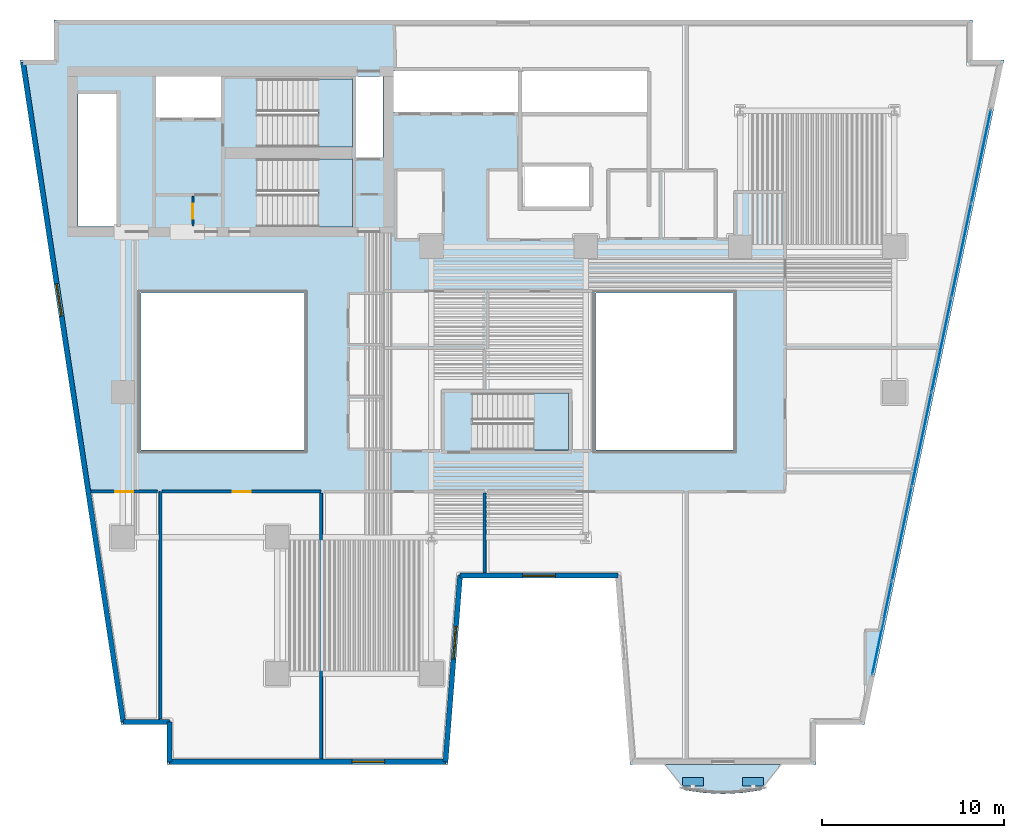
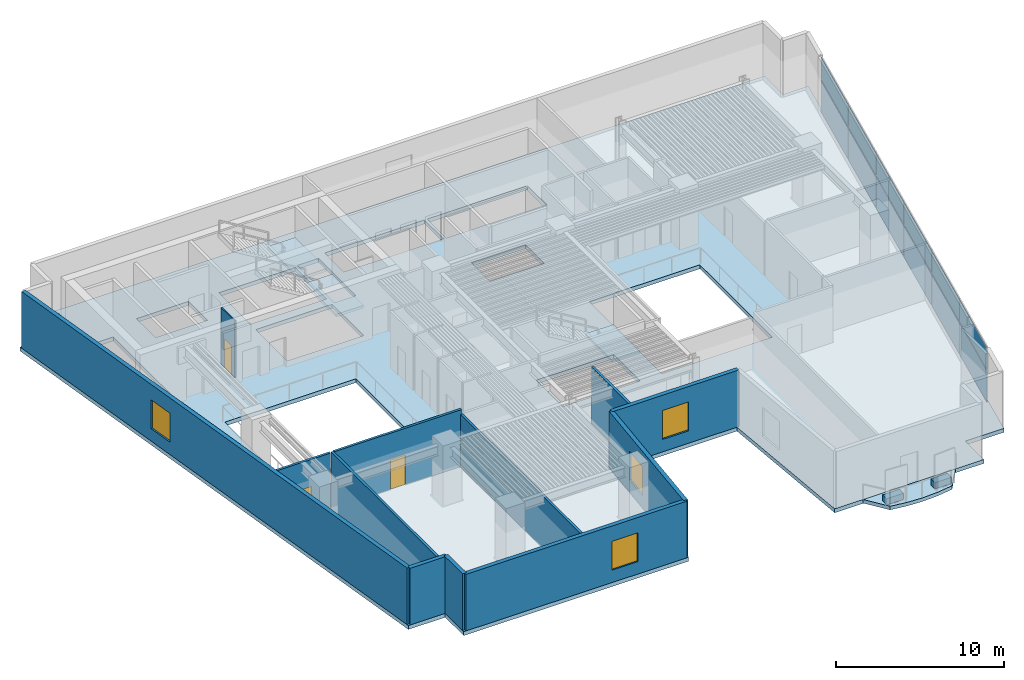
# One storey, part 3 of 12: 14 plates, 12 walls, 5 slabs, 4 windows, 3 doors, 7 openings, 4 elements without a shape of their own.
"""IFC4 building model written with IfcOpenShell, lengths in metres."""

from ifc_helpers import new_model, si_unit, direction, frame, frame_2d, origin, origin_2d, place, context, subcontext, project, spatial, polyline, rectangle, outline, extrude, material, layer, layer_set, type_object, element, fill, aggregate, save


model = new_model("IFC4")

# Units and contexts
model_context = context("Model", 3, precision=1e-05, world=origin(), true_north=direction((0.0, 1.0)))
body_context = subcontext(model_context, "Body", "Model", "MODEL_VIEW")
ifc_project = project(units=[si_unit("LENGTHUNIT", "METRE"), si_unit("AREAUNIT", "SQUARE_METRE"), si_unit("VOLUMEUNIT", "CUBIC_METRE"), si_unit("PLANEANGLEUNIT", "RADIAN"), si_unit("MASSUNIT", "GRAM", prefix="KILO")], contexts=[model_context])

# Site, building, storey
site_placement = place(None, origin())
site = spatial("IfcSite", under=ifc_project, at=site_placement, CompositionType="ELEMENT")
building_placement = place(site_placement, origin())
building = spatial("IfcBuilding", under=site, at=building_placement, Name="Caeloran Harvest Quay", CompositionType="ELEMENT")
storey_placement = place(building_placement, frame((0.0, 0.0, 84.199951171875)))
storey = spatial("IfcBuildingStorey", under=building, at=storey_placement, Name="L19", CompositionType="ELEMENT", Elevation=84.199951171875)

# Slab
ifc_material_1 = material(Name="Concrete C50/60", Category="concrete")
ifc_layer_1 = layer(ifc_material_1, 0.260009765625, Name="Concrete C50/60")
ifc_layer_set_1 = layer_set([ifc_layer_1], Name="Concrete C50/60")
slab_type_1 = type_object("IfcSlabType", Name="BALCONY-BL-260", PredefinedType="FLOOR", material=ifc_layer_set_1)
slab_1_placement = place(storey_placement, frame((0.0, 0.0, -0.260009765625)))
element("IfcSlab", 1, at=slab_1_placement, inside=storey, type_object=slab_type_1, Name="L19 Scalloped Cantilevered Planted Balcony Slab", PredefinedType="FLOOR", context=body_context, shape_type="SweptSolid", body=[
    extrude(outline(polyline([(43.686767578125, 1.08056640625), (42.622802734375, 0.927001953125), (41.55859375, 0.87109375), (40.494384765625, 0.927001953125), (39.43017578125, 1.08056640625), (38.380859375, 2.5), (44.736083984375, 2.5), (43.686767578125, 1.08056640625)])), origin(), (0.0, 0.0, 1.0), 0.260009765625),
])

# Curtain wall, plates
ifc_material_2 = material(Name="Aluminium 6063-T6 and Low-E Glazing", Category="aluminium")
ifc_layer_2 = layer(ifc_material_2, 0.199951171875, Name="Aluminium 6063-T6 and Low-E Glazing")
ifc_layer_set_2 = layer_set([ifc_layer_2], Name="Aluminium 6063-T6 and Low-E Glazing")
curtain_wall_type = type_object("IfcCurtainWallType", Name="CW-SYS-CW-2", PredefinedType="USERDEFINED", material=ifc_layer_set_2)
curtain_wall_placement = place(storey_placement, origin())
curtain_wall = element("IfcCurtainWall", 2, at=curtain_wall_placement, inside=storey, type_object=curtain_wall_type, Name="L19 Unitised Curtain Wall CW-2 Run 9", ObjectType="CURTAIN_WALL", PredefinedType="USERDEFINED")
ifc_material_3 = material(Name="Low-E Double Glazed Vision Glass Unit", Category="glass")
ifc_layer_3 = layer(ifc_material_3, 0.035888671875, Name="Low-E Double Glazed Vision Glass Unit")
ifc_layer_set_3 = layer_set([ifc_layer_3], Name="Low-E Double Glazed Vision Glass Unit")
plate_type_1 = type_object("IfcPlateType", Name="CW-VISION-PANEL", PredefinedType="CURTAIN_PANEL", material=ifc_layer_set_3)
plate_1_placement = place(storey_placement, frame((55.780029296875, 35.993408203125, 0.080078125), z_axis=(0.0, 0.0, 1.0), x_axis=(-0.205582960081, -0.978639691881, 0.0)))
plate_1 = element("IfcPlate", 3, at=plate_1_placement, type_object=plate_type_1, Name="CW-2 panel 1.1", PredefinedType="CURTAIN_PANEL", context=body_context, shape_type="SweptSolid", body=[
    extrude(rectangle(XDim=5.19873046875, YDim=0.035888671875, at=origin_2d()), origin(), (0.0, 0.0, 1.0), 2.280029296875),
])
plate_2_placement = place(storey_placement, frame((55.780029296875, 35.993408203125, 2.43994140625), z_axis=(0.0, 0.0, 1.0), x_axis=(-0.205582960081, -0.978639691881, 0.0)))
plate_2 = element("IfcPlate", 4, at=plate_2_placement, type_object=plate_type_1, Name="CW-2 panel 1.2", PredefinedType="CURTAIN_PANEL", context=body_context, shape_type="SweptSolid", body=[
    extrude(rectangle(XDim=5.19873046875, YDim=0.035888671875, at=origin_2d()), origin(), (0.0, 0.0, 1.0), 1.594970703125),
])
plate_3_placement = place(storey_placement, frame((54.690673828125, 30.807861328125, 0.080078125), z_axis=(0.0, 0.0, 1.0), x_axis=(-0.205582960081, -0.978639691881, 0.0)))
plate_3 = element("IfcPlate", 5, at=plate_3_placement, type_object=plate_type_1, Name="CW-2 panel 2.1", PredefinedType="CURTAIN_PANEL", context=body_context, shape_type="SweptSolid", body=[
    extrude(rectangle(XDim=5.23876953125, YDim=0.035888671875, at=origin_2d()), origin(), (0.0, 0.0, 1.0), 2.280029296875),
])
plate_4_placement = place(storey_placement, frame((54.690673828125, 30.807861328125, 2.43994140625), z_axis=(0.0, 0.0, 1.0), x_axis=(-0.205582960081, -0.978639691881, 0.0)))
plate_4 = element("IfcPlate", 6, at=plate_4_placement, type_object=plate_type_1, Name="CW-2 panel 2.2", PredefinedType="CURTAIN_PANEL", context=body_context, shape_type="SweptSolid", body=[
    extrude(rectangle(XDim=5.23876953125, YDim=0.035888671875, at=origin_2d()), origin(), (0.0, 0.0, 1.0), 1.594970703125),
])
plate_5_placement = place(storey_placement, frame((53.59716796875, 25.6025390625, 0.080078125), z_axis=(0.0, 0.0, 1.0), x_axis=(-0.205582960081, -0.978639691881, 0.0)))
plate_5 = element("IfcPlate", 7, at=plate_5_placement, type_object=plate_type_1, Name="CW-2 panel 3.1", PredefinedType="CURTAIN_PANEL", context=body_context, shape_type="SweptSolid", body=[
    extrude(rectangle(XDim=5.23876953125, YDim=0.035888671875, at=origin_2d()), origin(), (0.0, 0.0, 1.0), 2.280029296875),
])
plate_6_placement = place(storey_placement, frame((53.59716796875, 25.6025390625, 2.43994140625), z_axis=(0.0, 0.0, 1.0), x_axis=(-0.205582960081, -0.978639691881, 0.0)))
plate_6 = element("IfcPlate", 8, at=plate_6_placement, type_object=plate_type_1, Name="CW-2 panel 3.2", PredefinedType="CURTAIN_PANEL", context=body_context, shape_type="SweptSolid", body=[
    extrude(rectangle(XDim=5.23876953125, YDim=0.035888671875, at=origin_2d()), origin(), (0.0, 0.0, 1.0), 1.594970703125),
])
plate_7_placement = place(storey_placement, frame((52.503662109375, 20.3974609375, 0.080078125), z_axis=(0.0, 0.0, 1.0), x_axis=(-0.205582960081, -0.978639691881, 0.0)))
plate_7 = element("IfcPlate", 9, at=plate_7_placement, type_object=plate_type_1, Name="CW-2 panel 4.1", PredefinedType="CURTAIN_PANEL", context=body_context, shape_type="SweptSolid", body=[
    extrude(rectangle(XDim=5.23876953125, YDim=0.035888671875, at=origin_2d()), origin(), (0.0, 0.0, 1.0), 2.280029296875),
])
plate_8_placement = place(storey_placement, frame((52.503662109375, 20.3974609375, 2.43994140625), z_axis=(0.0, 0.0, 1.0), x_axis=(-0.205582960081, -0.978639691881, 0.0)))
plate_8 = element("IfcPlate", 10, at=plate_8_placement, type_object=plate_type_1, Name="CW-2 panel 4.2", PredefinedType="CURTAIN_PANEL", context=body_context, shape_type="SweptSolid", body=[
    extrude(rectangle(XDim=5.23876953125, YDim=0.035888671875, at=origin_2d()), origin(), (0.0, 0.0, 1.0), 1.594970703125),
])
plate_9_placement = place(storey_placement, frame((51.41015625, 15.192138671875, 0.080078125), z_axis=(0.0, 0.0, 1.0), x_axis=(-0.205582960081, -0.978639691881, 0.0)))
plate_9 = element("IfcPlate", 11, at=plate_9_placement, type_object=plate_type_1, Name="CW-2 panel 5.1", PredefinedType="CURTAIN_PANEL", context=body_context, shape_type="SweptSolid", body=[
    extrude(rectangle(XDim=5.23876953125, YDim=0.035888671875, at=origin_2d()), origin(), (0.0, 0.0, 1.0), 2.280029296875),
])
plate_10_placement = place(storey_placement, frame((51.41015625, 15.192138671875, 2.43994140625), z_axis=(0.0, 0.0, 1.0), x_axis=(-0.205582960081, -0.978639691881, 0.0)))
plate_10 = element("IfcPlate", 12, at=plate_10_placement, type_object=plate_type_1, Name="CW-2 panel 5.2", PredefinedType="CURTAIN_PANEL", context=body_context, shape_type="SweptSolid", body=[
    extrude(rectangle(XDim=5.23876953125, YDim=0.035888671875, at=origin_2d()), origin(), (0.0, 0.0, 1.0), 1.594970703125),
])
plate_11_placement = place(storey_placement, frame((50.321044921875, 10.006591796875, 0.080078125), z_axis=(0.0, 0.0, 1.0), x_axis=(-0.205582960081, -0.978639691881, 0.0)))
plate_11 = element("IfcPlate", 13, at=plate_11_placement, type_object=plate_type_1, Name="CW-2 panel 6.1", PredefinedType="CURTAIN_PANEL", context=body_context, shape_type="SweptSolid", body=[
    extrude(rectangle(XDim=5.19873046875, YDim=0.035888671875, at=origin_2d()), origin(), (0.0, 0.0, 1.0), 2.280029296875),
])
plate_12_placement = place(storey_placement, frame((50.321044921875, 10.006591796875, 2.43994140625), z_axis=(0.0, 0.0, 1.0), x_axis=(-0.205582960081, -0.978639691881, 0.0)))
plate_12 = element("IfcPlate", 14, at=plate_12_placement, type_object=plate_type_1, Name="CW-2 panel 6.2", PredefinedType="CURTAIN_PANEL", context=body_context, shape_type="SweptSolid", body=[
    extrude(rectangle(XDim=5.19873046875, YDim=0.035888671875, at=origin_2d()), origin(), (0.0, 0.0, 1.0), 1.594970703125),
])
aggregate(curtain_wall, [plate_1, plate_2, plate_3, plate_4, plate_5, plate_6, plate_7, plate_8, plate_9, plate_10, plate_11, plate_12])

# Plates
ifc_material_4 = material(Name="Precast concrete C50/60", Category="concrete")
ifc_layer_4 = layer(ifc_material_4, 0.449951171875, Name="Precast concrete C50/60")
ifc_layer_set_4 = layer_set([ifc_layer_4], Name="Precast concrete C50/60")
plate_type_2 = type_object("IfcPlateType", Name="PLANTER-TROUGH-450", PredefinedType="USERDEFINED", material=ifc_layer_set_4)
for number, where, z_axis, x_axis, name in (
    (15, (43.218505859375, 1.543212890625, 0.0), (0.0, 0.0, 1.0), (1.0, 0.0, 0.0), "L19 Balcony Vertical-Greenery Precast PLANTER Trough 1"),
    (16, (39.8984375, 1.543212890625, 0.0), (0.0, 0.0, 1.0), (1.0, 0.0, 0.0), "L19 Balcony Vertical-Greenery Precast PLANTER Trough 2"),
):
    element("IfcPlate", number, at=place(storey_placement, frame(where, z_axis=z_axis, x_axis=x_axis)), inside=storey, type_object=plate_type_2, Name=name, ObjectType="PLANTER", PredefinedType="USERDEFINED", context=body_context, shape_type="SweptSolid", body=[
        extrude(rectangle(XDim=1.14990234375, YDim=0.47998046875, at=origin_2d()), origin(), (0.0, 0.0, 1.0), 0.449951171875),
    ])

# Slab
ifc_layer_5 = layer(ifc_material_1, 0.284912109375, Name="Concrete C50/60")
ifc_layer_set_5 = layer_set([ifc_layer_5], Name="Concrete C50/60")
slab_type_2 = type_object("IfcSlabType", Name="SLAB-FS-285", PredefinedType="FLOOR", material=ifc_layer_set_5)
slab_2_placement = place(storey_placement, frame((0.0, 0.0, -0.284912109375)))
element("IfcSlab", 17, at=slab_2_placement, inside=storey, type_object=slab_type_2, Name="L19 Structural Floor Slab", PredefinedType="FLOOR", context=body_context, shape_type="SweptSolid", body=[
    extrude(outline(polyline([(10.93701171875, 2.5), (26.403076171875, 2.5), (27.202880859375, 12.75), (35.640380859375, 12.75), (36.4404296875, 2.5), (46.68701171875, 2.5), (46.68701171875, 4.699951171875), (49.34912109375, 4.699951171875), (57.037841796875, 41.300048828125), (55.300048828125, 41.300048828125), (55.300048828125, 43.5), (4.699951171875, 43.5), (4.699951171875, 41.300048828125), (2.834716796875, 41.300048828125), (8.40234375, 4.699951171875), (10.93701171875, 4.699951171875), (10.93701171875, 2.5)]), holes=[polyline([(18.5, 19.800048828125), (9.5, 19.800048828125), (9.5, 28.449951171875), (18.5, 28.449951171875), (18.5, 19.800048828125)]), polyline([(15.89990234375, 32.10009765625), (15.89990234375, 35.85009765625), (21.14990234375, 35.85009765625), (21.14990234375, 32.10009765625), (15.89990234375, 32.10009765625)]), polyline([(8.159912109375, 32.1201171875), (6.02001953125, 32.1201171875), (6.02001953125, 39.419921875), (8.159912109375, 39.419921875), (8.159912109375, 32.1201171875)]), polyline([(21.35009765625, 35.919921875), (21.35009765625, 40.3798828125), (22.830078125, 40.3798828125), (22.830078125, 35.919921875), (21.35009765625, 35.919921875)]), polyline([(15.89990234375, 40.25), (21.14990234375, 40.25), (21.14990234375, 36.5), (15.89990234375, 36.5), (15.89990234375, 40.25)]), polyline([(13.89990234375, 38.1201171875), (10.320068359375, 38.1201171875), (10.320068359375, 40.3798828125), (13.89990234375, 40.3798828125), (13.89990234375, 38.1201171875)]), polyline([(27.75, 22.949951171875), (33.050048828125, 22.949951171875), (33.050048828125, 19.800048828125), (27.75, 19.800048828125), (27.75, 22.949951171875)]), polyline([(34.550048828125, 19.800048828125), (34.550048828125, 28.449951171875), (42.14990234375, 28.449951171875), (42.14990234375, 19.800048828125), (34.550048828125, 19.800048828125)]), polyline([(34.199951171875, 33.219970703125), (30.47998046875, 33.219970703125), (30.47998046875, 35.429931640625), (34.199951171875, 35.429931640625), (34.199951171875, 33.219970703125)]), polyline([(23.419921875, 38.419921875), (23.419921875, 40.679931640625), (30.280029296875, 40.679931640625), (30.280029296875, 38.419921875), (23.419921875, 38.419921875)]), polyline([(30.47998046875, 38.419921875), (30.47998046875, 40.679931640625), (37.3798828125, 40.679931640625), (37.3798828125, 38.419921875), (30.47998046875, 38.419921875)])]), origin(), (0.0, 0.0, 1.0), 0.284912109375),
])

# Stair, slab
stair_type_1 = type_object("IfcStairType", Name="STAIR-STC-180", PredefinedType="HALF_TURN_STAIR", material=ifc_material_1)
stair_1_placement = place(storey_placement, origin())
stair_1 = element("IfcStair", 18, at=stair_1_placement, inside=storey, type_object=stair_type_1, Name="L19 Core Pressurized Exit Stair ST-C1", PredefinedType="HALF_TURN_STAIR")
ifc_layer_6 = layer(ifc_material_1, 0.219970703125, Name="Concrete C50/60")
ifc_layer_set_6 = layer_set([ifc_layer_6], Name="Concrete C50/60")
slab_type_3 = type_object("IfcSlabType", Name="STAIR-LANDING-220", PredefinedType="LANDING", material=ifc_layer_set_6)
slab_3_placement = place(storey_placement, frame((0.0, 0.0, 2.0)))
slab_3 = element("IfcSlab", 19, at=slab_3_placement, type_object=slab_type_3, Name="ST-C1 landing 1", PredefinedType="LANDING", context=body_context, shape_type="SweptSolid", body=[
    extrude(outline(polyline([(19.260009765625, 36.5), (21.14990234375, 36.5), (21.14990234375, 40.25), (19.260009765625, 40.25), (19.260009765625, 36.5)])), origin(), (0.0, 0.0, 1.0), 0.199951171875),
])
aggregate(stair_1, [slab_3])

stair_2_placement = place(storey_placement, origin())
stair_2 = element("IfcStair", 20, at=stair_2_placement, inside=storey, type_object=stair_type_1, Name="L19 Core Pressurized Exit Stair ST-C2", PredefinedType="HALF_TURN_STAIR")
slab_4_placement = place(storey_placement, frame((0.0, 0.0, 2.0)))
slab_4 = element("IfcSlab", 21, at=slab_4_placement, type_object=slab_type_3, Name="ST-C2 landing 1", PredefinedType="LANDING", context=body_context, shape_type="SweptSolid", body=[
    extrude(outline(polyline([(19.260009765625, 32.10009765625), (21.14990234375, 32.10009765625), (21.14990234375, 35.85009765625), (19.260009765625, 35.85009765625), (19.260009765625, 32.10009765625)])), origin(), (0.0, 0.0, 1.0), 0.199951171875),
])
aggregate(stair_2, [slab_4])

stair_type_2 = type_object("IfcStairType", Name="STAIR-STW-150", PredefinedType="HALF_TURN_STAIR", material=ifc_material_1)
stair_3_placement = place(storey_placement, origin())
stair_3 = element("IfcStair", 22, at=stair_3_placement, inside=storey, type_object=stair_type_2, Name="L19 East Wing Protected Exit Stair ST-W1", PredefinedType="HALF_TURN_STAIR")
slab_5_placement = place(storey_placement, frame((0.0, 0.0, 2.0)))
slab_5 = element("IfcSlab", 23, at=slab_5_placement, type_object=slab_type_3, Name="ST-W1 landing 1", PredefinedType="LANDING", context=body_context, shape_type="SweptSolid", body=[
    extrude(outline(polyline([(31.110107421875, 19.800048828125), (33.050048828125, 19.800048828125), (33.050048828125, 22.949951171875), (31.110107421875, 22.949951171875), (31.110107421875, 19.800048828125)])), origin(), (0.0, 0.0, 1.0), 0.199951171875),
])
aggregate(stair_3, [slab_5])

# Walls
ifc_layer_7 = layer(ifc_material_4, 0.280029296875, Name="Precast concrete C50/60")
ifc_layer_set_7 = layer_set([ifc_layer_7], Name="Precast concrete C50/60")
wall_type_1 = type_object("IfcWallType", Name="ENV-WALL-EW-280", PredefinedType="STANDARD", material=ifc_layer_set_7)
wall_1_placement = place(storey_placement, frame((11.076904296875, 2.639892578125, 0.0), z_axis=(0.0, 0.0, 1.0), x_axis=(0.0, 1.0, 0.0)))
element("IfcWall", 24, at=wall_1_placement, inside=storey, type_object=wall_type_1, Name="L19 Exterior Precast Concrete Facade Wall 1", PredefinedType="STANDARD", context=body_context, shape_type="SweptSolid", body=[
    extrude(rectangle(XDim=2.2001953125, YDim=0.280029296875, at=frame_2d((1.10009765625, 0.0))), origin(), (0.0, 0.0, 1.0), 4.114990234375),
])
wall_2_placement = place(storey_placement, frame((11.076904296875, 4.840087890625, 0.0), z_axis=(0.0, 0.0, 1.0), x_axis=(-1.0, 0.0, 0.0)))
element("IfcWall", 25, at=wall_2_placement, inside=storey, type_object=wall_type_1, Name="L19 Exterior Precast Concrete Facade Wall 2", PredefinedType="STANDARD", context=body_context, shape_type="SweptSolid", body=[
    extrude(rectangle(XDim=2.55419921875, YDim=0.280029296875, at=frame_2d((1.277099609375, 0.0))), origin(), (0.0, 0.0, 1.0), 4.114990234375),
])

# Wall, opening, window
wall_3_placement = place(storey_placement, frame((8.522705078125, 4.840087890625, 0.0), z_axis=(0.0, 0.0, 1.0), x_axis=(-0.150394554312, 0.988626055712, 0.0)))
wall_3 = element("IfcWall", 26, at=wall_3_placement, inside=storey, type_object=wall_type_1, Name="L19 Exterior Precast Concrete Facade Wall 3", PredefinedType="STANDARD", context=body_context, shape_type="SweptSolid", body=[
    extrude(rectangle(XDim=36.73779296875, YDim=0.280029296875, at=frame_2d((18.368896484375, 0.0))), origin(), (0.0, 0.0, 1.0), 4.114990234375),
])
opening_1_placement = place(wall_3_placement, frame((22.612060546875, 0.0, 0.89990234375)))
opening_1 = element("IfcOpeningElement", 27, at=opening_1_placement, cuts=wall_3, Name="Opening W-01", PredefinedType="OPENING", context=body_context, shape_type="SweptSolid", body=[
    extrude(rectangle(XDim=1.800048828125, YDim=2.10009765625, at=frame_2d((0.89990234375, 1.050048828125))), frame((0.0, 0.14990234375, 0.0), z_axis=(0.0, -1.0, 0.0), x_axis=(1.0, 0.0, 0.0)), (0.0, 0.0, 1.0), 0.300048828125),
])
ifc_material_5 = material(Name="Aluminium-Framed Low-E Laminated Glass", Category="aluminium")
window_type = type_object("IfcWindowType", Name="WIN-W-01", PartitioningType="SINGLE_PANEL", PredefinedType="WINDOW", material=ifc_material_5)
window_1_placement = place(opening_1_placement, origin())
window_1 = element("IfcWindow", 28, at=window_1_placement, inside=storey, type_object=window_type, Name="L19 Facade Punched Window W-01", OverallHeight=2.10009765625, OverallWidth=1.800048828125, PartitioningType="SINGLE_PANEL", PredefinedType="WINDOW", context=body_context, shape_type="SweptSolid", body=[
    extrude(rectangle(XDim=1.800048828125, YDim=2.10009765625, at=frame_2d((0.89990234375, 1.050048828125))), frame((0.0, 0.030029296875, 0.0), z_axis=(0.0, -1.0, 0.0), x_axis=(1.0, 0.0, 0.0)), (0.0, 0.0, 1.0), 0.06005859375),
])
fill(opening_1, window_1)

wall_4_placement = place(storey_placement, frame((35.77001953125, 12.889892578125, 0.0), z_axis=(0.0, 0.0, 1.0), x_axis=(-1.0, 0.0, 0.0)))
wall_4 = element("IfcWall", 29, at=wall_4_placement, inside=storey, type_object=wall_type_1, Name="L19 Exterior Precast Concrete Facade Wall 14", PredefinedType="STANDARD", context=body_context, shape_type="SweptSolid", body=[
    extrude(rectangle(XDim=8.696533203125, YDim=0.280029296875, at=frame_2d((4.34814453125, 0.0))), origin(), (0.0, 0.0, 1.0), 4.114990234375),
])
opening_2_placement = place(wall_4_placement, frame((3.447998046875, 0.0, 0.89990234375)))
opening_2 = element("IfcOpeningElement", 30, at=opening_2_placement, cuts=wall_4, Name="Opening W-01", PredefinedType="OPENING", context=body_context, shape_type="SweptSolid", body=[
    extrude(rectangle(XDim=1.800048828125, YDim=2.10009765625, at=frame_2d((0.89990234375, 1.050048828125))), frame((0.0, 0.14990234375, 0.0), z_axis=(0.0, -1.0, 0.0), x_axis=(1.0, 0.0, 0.0)), (0.0, 0.0, 1.0), 0.300048828125),
])
window_2_placement = place(opening_2_placement, origin())
window_2 = element("IfcWindow", 31, at=window_2_placement, inside=storey, type_object=window_type, Name="L19 Facade Punched Window W-01", OverallHeight=2.10009765625, OverallWidth=1.800048828125, PartitioningType="SINGLE_PANEL", PredefinedType="WINDOW", context=body_context, shape_type="SweptSolid", body=[
    extrude(rectangle(XDim=1.800048828125, YDim=2.10009765625, at=frame_2d((0.89990234375, 1.050048828125))), frame((0.0, 0.030029296875, 0.0), z_axis=(0.0, -1.0, 0.0), x_axis=(1.0, 0.0, 0.0)), (0.0, 0.0, 1.0), 0.06005859375),
])
fill(opening_2, window_2)

wall_5_placement = place(storey_placement, frame((27.073486328125, 12.889892578125, 0.0), z_axis=(0.0, 0.0, 1.0), x_axis=(-0.077816860153, -0.996967670627, 0.0)))
wall_5 = element("IfcWall", 32, at=wall_5_placement, inside=storey, type_object=wall_type_1, Name="L19 Exterior Precast Concrete Facade Wall 15", PredefinedType="STANDARD", context=body_context, shape_type="SweptSolid", body=[
    extrude(rectangle(XDim=10.28125, YDim=0.280029296875, at=frame_2d((5.140625, 0.0))), origin(), (0.0, 0.0, 1.0), 4.114990234375),
])
opening_3_placement = place(wall_5_placement, frame((2.801025390625, 0.0, 0.89990234375)))
opening_3 = element("IfcOpeningElement", 33, at=opening_3_placement, cuts=wall_5, Name="Opening W-01", PredefinedType="OPENING", context=body_context, shape_type="SweptSolid", body=[
    extrude(rectangle(XDim=1.800048828125, YDim=2.10009765625, at=frame_2d((0.89990234375, 1.050048828125))), frame((0.0, 0.14990234375, 0.0), z_axis=(0.0, -1.0, 0.0), x_axis=(1.0, 0.0, 0.0)), (0.0, 0.0, 1.0), 0.300048828125),
])
window_3_placement = place(opening_3_placement, origin())
window_3 = element("IfcWindow", 34, at=window_3_placement, inside=storey, type_object=window_type, Name="L19 Facade Punched Window W-01", OverallHeight=2.10009765625, OverallWidth=1.800048828125, PartitioningType="SINGLE_PANEL", PredefinedType="WINDOW", context=body_context, shape_type="SweptSolid", body=[
    extrude(rectangle(XDim=1.800048828125, YDim=2.10009765625, at=frame_2d((0.89990234375, 1.050048828125))), frame((0.0, 0.030029296875, 0.0), z_axis=(0.0, -1.0, 0.0), x_axis=(1.0, 0.0, 0.0)), (0.0, 0.0, 1.0), 0.06005859375),
])
fill(opening_3, window_3)

wall_6_placement = place(storey_placement, frame((26.2734375, 2.639892578125, 0.0), z_axis=(0.0, 0.0, 1.0), x_axis=(-1.0, 0.0, 0.0)))
wall_6 = element("IfcWall", 35, at=wall_6_placement, inside=storey, type_object=wall_type_1, Name="L19 Exterior Precast Concrete Facade Wall 16", PredefinedType="STANDARD", context=body_context, shape_type="SweptSolid", body=[
    extrude(rectangle(XDim=15.196533203125, YDim=0.280029296875, at=frame_2d((7.59814453125, 0.0))), origin(), (0.0, 0.0, 1.0), 4.114990234375),
])
opening_4_placement = place(wall_6_placement, frame((3.35498046875, 0.0, 0.89990234375)))
opening_4 = element("IfcOpeningElement", 36, at=opening_4_placement, cuts=wall_6, Name="Opening W-01", PredefinedType="OPENING", context=body_context, shape_type="SweptSolid", body=[
    extrude(rectangle(XDim=1.800048828125, YDim=2.10009765625, at=frame_2d((0.89990234375, 1.050048828125))), frame((0.0, 0.14990234375, 0.0), z_axis=(0.0, -1.0, 0.0), x_axis=(1.0, 0.0, 0.0)), (0.0, 0.0, 1.0), 0.300048828125),
])
window_4_placement = place(opening_4_placement, origin())
window_4 = element("IfcWindow", 37, at=window_4_placement, inside=storey, type_object=window_type, Name="L19 Facade Punched Window W-01", OverallHeight=2.10009765625, OverallWidth=1.800048828125, PartitioningType="SINGLE_PANEL", PredefinedType="WINDOW", context=body_context, shape_type="SweptSolid", body=[
    extrude(rectangle(XDim=1.800048828125, YDim=2.10009765625, at=frame_2d((0.89990234375, 1.050048828125))), frame((0.0, 0.030029296875, 0.0), z_axis=(0.0, -1.0, 0.0), x_axis=(1.0, 0.0, 0.0)), (0.0, 0.0, 1.0), 0.06005859375),
])
fill(opening_4, window_4)

# Wall, opening, door
ifc_material_6 = material(Name="Fire-Resisting Gypsum Core Riser Partition", Category="gypsum")
ifc_layer_8 = layer(ifc_material_6, 0.10009765625, Name="Fire-Resisting Gypsum Core Riser Partition")
ifc_layer_set_8 = layer_set([ifc_layer_8], Name="Fire-Resisting Gypsum Core Riser Partition")
wall_type_2 = type_object("IfcWallType", Name="INT-WALL-PW-100", PredefinedType="PARTITIONING", material=ifc_layer_set_8)
wall_7_placement = place(storey_placement, frame((12.360107421875, 32.159912109375, 0.0), z_axis=(0.0, 0.0, 1.0), x_axis=(0.0, 1.0, 0.0)))
wall_7 = element("IfcWall", 38, at=wall_7_placement, inside=storey, type_object=wall_type_2, Name="L19 Core Store Partition Wall", PredefinedType="PARTITIONING", context=body_context, shape_type="SweptSolid", body=[
    extrude(rectangle(XDim=1.6201171875, YDim=0.10009765625, at=frame_2d((0.81005859375, 0.0))), origin(), (0.0, 0.0, 1.0), 4.114990234375),
])
opening_5_placement = place(wall_7_placement, frame((0.3798828125, 0.0, 0.0)))
opening_5 = element("IfcOpeningElement", 39, at=opening_5_placement, cuts=wall_7, Name="Opening SV-01", PredefinedType="OPENING", context=body_context, shape_type="SweptSolid", body=[
    extrude(rectangle(XDim=0.85009765625, YDim=2.10009765625, at=frame_2d((0.425048828125, 1.050048828125))), frame((0.0, 0.06005859375, 0.0), z_axis=(0.0, -1.0, 0.0), x_axis=(1.0, 0.0, 0.0)), (0.0, 0.0, 1.0), 0.1201171875),
])
ifc_material_7 = material(Name="Galvanized Painted Steel", Category="steel")
door_type_1 = type_object("IfcDoorType", Name="INTDOOR-SV-01", OperationType="NOTDEFINED", PredefinedType="DOOR", material=ifc_material_7)
door_1_placement = place(opening_5_placement, origin())
door_1 = element("IfcDoor", 40, at=door_1_placement, inside=storey, type_object=door_type_1, Name="L19 Core Service Room Access Door", OperationType="SINGLE_SWING_LEFT", OverallHeight=2.10009765625, OverallWidth=0.85009765625, PredefinedType="DOOR", context=body_context, shape_type="SweptSolid", body=[
    extrude(rectangle(XDim=0.85009765625, YDim=2.10009765625, at=frame_2d((0.425048828125, 1.050048828125))), frame((0.0, 0.02490234375, 0.0), z_axis=(0.0, -1.0, 0.0), x_axis=(1.0, 0.0, 0.0)), (0.0, 0.0, 1.0), 0.050048828125),
])
fill(opening_5, door_1)

# Wall
ifc_material_8 = material(Name="Autoclaved Aerated Concrete Blockwork", Category="masonry")
ifc_layer_9 = layer(ifc_material_8, 0.1650390625, Name="Autoclaved Aerated Concrete Blockwork")
ifc_layer_set_9 = layer_set([ifc_layer_9], Name="Autoclaved Aerated Concrete Blockwork")
wall_type_3 = type_object("IfcWallType", Name="INT-WALL-PW-165", PredefinedType="PARTITIONING", material=ifc_layer_set_9)
wall_8_placement = place(storey_placement, frame((10.580078125, 4.985107421875, 0.0), z_axis=(0.0, 0.0, 1.0), x_axis=(0.0, 1.0, 0.0)))
element("IfcWall", 41, at=wall_8_placement, inside=storey, type_object=wall_type_3, Name="Culinary Harvest Tasting Kitchen Partition Wall", PredefinedType="PARTITIONING", context=body_context, shape_type="SweptSolid", body=[
    extrude(rectangle(XDim=12.534912109375, YDim=0.1650390625, at=frame_2d((6.267578125, 0.0))), origin(), (0.0, 0.0, 1.0), 4.114990234375),
])

# Wall, opening, door
wall_9_placement = place(storey_placement, frame((10.66748046875, 17.52001953125, 0.0), z_axis=(0.0, 0.0, 1.0), x_axis=(1.0, 0.0, 0.0)))
wall_9 = element("IfcWall", 42, at=wall_9_placement, inside=storey, type_object=wall_type_3, Name="Culinary Harvest Tasting Kitchen Partition Wall", PredefinedType="PARTITIONING", context=body_context, shape_type="SweptSolid", body=[
    extrude(rectangle(XDim=8.75244140625, YDim=0.1650390625, at=frame_2d((4.376220703125, 0.0))), origin(), (0.0, 0.0, 1.0), 4.114990234375),
])
opening_6_placement = place(wall_9_placement, frame((3.876220703125, 0.0, 0.0)))
opening_6 = element("IfcOpeningElement", 43, at=opening_6_placement, cuts=wall_9, Name="Opening ID-01", PredefinedType="OPENING", context=body_context, shape_type="SweptSolid", body=[
    extrude(rectangle(XDim=1.0, YDim=2.14990234375, at=frame_2d((0.5, 1.074951171875))), frame((0.0, 0.092529296875, 0.0), z_axis=(0.0, -1.0, 0.0), x_axis=(1.0, 0.0, 0.0)), (0.0, 0.0, 1.0), 0.18505859375),
])
ifc_material_9 = material(Name="FSC Solid-Core Ash Timber and Acoustic Seal", Category="wood")
door_type_2 = type_object("IfcDoorType", Name="INTDOOR-ID-01", OperationType="NOTDEFINED", PredefinedType="DOOR", material=ifc_material_9)
door_2_placement = place(opening_6_placement, origin())
door_2 = element("IfcDoor", 44, at=door_2_placement, inside=storey, type_object=door_type_2, Name="Culinary Harvest Tasting Kitchen Access Door", OperationType="SINGLE_SWING_LEFT", OverallHeight=2.14990234375, OverallWidth=1.0, PredefinedType="DOOR", context=body_context, shape_type="SweptSolid", body=[
    extrude(rectangle(XDim=1.0, YDim=2.14990234375, at=frame_2d((0.5, 1.074951171875))), frame((0.0, 0.02490234375, 0.0), z_axis=(0.0, -1.0, 0.0), x_axis=(1.0, 0.0, 0.0)), (0.0, 0.0, 1.0), 0.050048828125),
])
fill(opening_6, door_2)

# Walls
wall_10_placement = place(storey_placement, frame((19.419921875, 17.4326171875, 0.0), z_axis=(0.0, 0.0, 1.0), x_axis=(0.0, -1.0, 0.0)))
element("IfcWall", 45, at=wall_10_placement, inside=storey, type_object=wall_type_3, Name="Culinary Harvest Tasting Kitchen Partition Wall", PredefinedType="PARTITIONING", context=body_context, shape_type="SweptSolid", body=[
    extrude(rectangle(XDim=14.647705078125, YDim=0.1650390625, at=frame_2d((7.32373046875, 0.0))), origin(), (0.0, 0.0, 1.0), 3.800048828125),
])
wall_11_placement = place(storey_placement, frame((28.419921875, 17.4326171875, 0.0), z_axis=(0.0, 0.0, 1.0), x_axis=(0.0, -1.0, 0.0)))
element("IfcWall", 46, at=wall_11_placement, inside=storey, type_object=wall_type_3, Name="Botanical Workshop Studio Partition Wall", PredefinedType="PARTITIONING", context=body_context, shape_type="SweptSolid", body=[
    extrude(rectangle(XDim=4.397705078125, YDim=0.1650390625, at=frame_2d((2.19873046875, 0.0))), origin(), (0.0, 0.0, 1.0), 4.114990234375),
])

# Wall, opening, door
wall_12_placement = place(storey_placement, frame((6.740478515625, 17.52001953125, 0.0), z_axis=(0.0, 0.0, 1.0), x_axis=(1.0, 0.0, 0.0)))
wall_12 = element("IfcWall", 47, at=wall_12_placement, inside=storey, type_object=wall_type_3, Name="Gastronomy Seminar Room Partition Wall", PredefinedType="PARTITIONING", context=body_context, shape_type="SweptSolid", body=[
    extrude(rectangle(XDim=3.679443359375, YDim=0.1650390625, at=frame_2d((1.83984375, 0.0))), origin(), (0.0, 0.0, 1.0), 4.114990234375),
])
opening_7_placement = place(wall_12_placement, frame((1.33984375, 0.0, 0.0)))
opening_7 = element("IfcOpeningElement", 48, at=opening_7_placement, cuts=wall_12, Name="Opening ID-01", PredefinedType="OPENING", context=body_context, shape_type="SweptSolid", body=[
    extrude(rectangle(XDim=1.0, YDim=2.14990234375, at=frame_2d((0.5, 1.074951171875))), frame((0.0, 0.092529296875, 0.0), z_axis=(0.0, -1.0, 0.0), x_axis=(1.0, 0.0, 0.0)), (0.0, 0.0, 1.0), 0.18505859375),
])
door_3_placement = place(opening_7_placement, origin())
door_3 = element("IfcDoor", 49, at=door_3_placement, inside=storey, type_object=door_type_2, Name="Gastronomy Seminar Room Access Door", OperationType="SINGLE_SWING_RIGHT", OverallHeight=2.14990234375, OverallWidth=1.0, PredefinedType="DOOR", context=body_context, shape_type="SweptSolid", body=[
    extrude(rectangle(XDim=1.0, YDim=2.14990234375, at=frame_2d((0.5, 1.074951171875))), frame((0.0, 0.02490234375, 0.0), z_axis=(0.0, -1.0, 0.0), x_axis=(1.0, 0.0, 0.0)), (0.0, 0.0, 1.0), 0.050048828125),
])
fill(opening_7, door_3)

save(model, "model.ifc")
